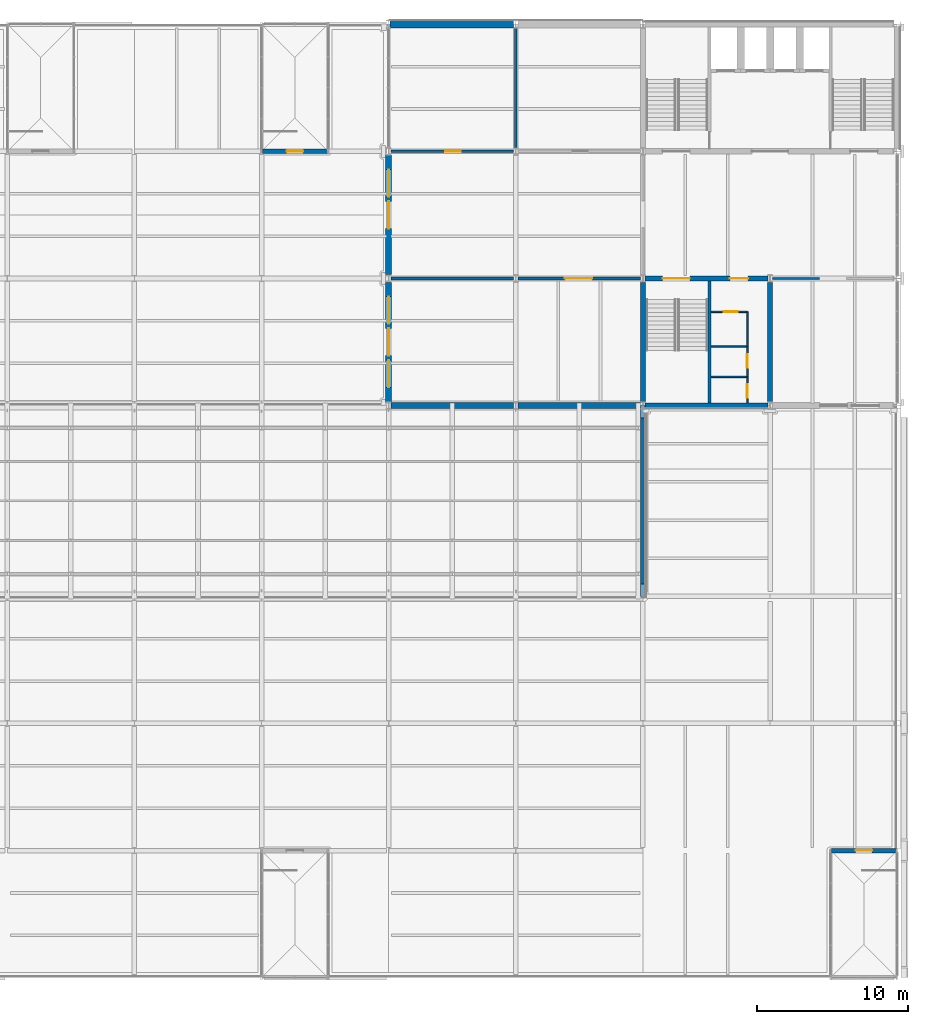
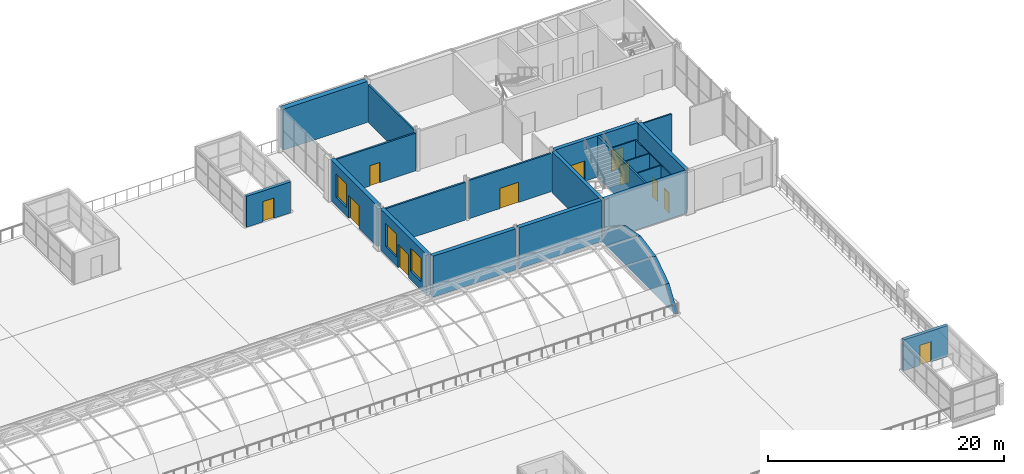
# One storey, part 40 of 58: 24 walls, 11 doors, 3 windows, 14 openings.
"""IFC4 building model written with IfcOpenShell, lengths in metres."""

from ifc_helpers import new_model, si_unit, direction, frame, frame_2d, origin, place, context, subcontext, project, spatial, polyline, rectangle, outline, extrude, material, layer, layer_set, type_object, element, fill, save


model = new_model("IFC4")

# Units and contexts
model_context = context("Model", 3, precision=1e-05, world=origin(), true_north=direction((0.0, 1.0)))
body_context = subcontext(model_context, "Body", "Model", "MODEL_VIEW")
ifc_project = project(units=[si_unit("LENGTHUNIT", "METRE"), si_unit("AREAUNIT", "SQUARE_METRE"), si_unit("VOLUMEUNIT", "CUBIC_METRE"), si_unit("PLANEANGLEUNIT", "RADIAN"), si_unit("MASSUNIT", "GRAM", prefix="KILO")], contexts=[model_context])

# Site, building, storey
site_placement = place(None, origin())
site = spatial("IfcSite", under=ifc_project, at=site_placement, CompositionType="ELEMENT")
building_placement = place(site_placement, origin())
building = spatial("IfcBuilding", under=site, at=building_placement, Name="Galleria Vessillo Department Store", CompositionType="ELEMENT")
storey_placement = place(building_placement, frame((0.0, 0.0, 31.199951171875)))
storey = spatial("IfcBuildingStorey", under=building, at=storey_placement, Name="L06", CompositionType="ELEMENT", Elevation=31.199951171875)

# Wall
ifc_material_1 = material(Name="Acoustic gypsum board partition")
ifc_layer_1 = layer(ifc_material_1, 0.175048828125)
ifc_layer_set_1 = layer_set([ifc_layer_1], Name="Acoustic gypsum board partition")
wall_type_1 = type_object("IfcWallType", Name="Acoustic conference partition 175 mm", PredefinedType="PARTITIONING", material=ifc_layer_set_1)
wall_1_placement = place(storey_placement, frame((84.14990234375, 46.199951171875, 0.0), z_axis=(0.0, 0.0, 1.0), x_axis=(1.0, 0.0, 0.0)))
element("IfcWall", 1, at=wall_1_placement, inside=storey, type_object=wall_type_1, Name="Partition wall PT6 on L06 no. 007", PredefinedType="PARTITIONING", context=body_context, shape_type="SweptSolid", body=[
    extrude(rectangle(XDim=8.10009765625, YDim=0.175048828125, at=frame_2d((4.050048828125, 0.0))), origin(), (0.0, 0.0, 1.0), 3.900146484375),
])

# Wall, opening, door
wall_2_placement = place(storey_placement, frame((92.5498046875, 46.199951171875, 0.0), z_axis=(0.0, 0.0, 1.0), x_axis=(1.0, 0.0, 0.0)))
wall_2 = element("IfcWall", 2, at=wall_2_placement, inside=storey, type_object=wall_type_1, Name="Partition wall PT6 on L06 no. 008", PredefinedType="PARTITIONING", context=body_context, shape_type="SweptSolid", body=[
    extrude(rectangle(XDim=8.100341796875, YDim=0.175048828125, at=frame_2d((4.05029296875, 0.0))), origin(), (0.0, 0.0, 1.0), 3.960205078125),
])
opening_1_placement = place(wall_2_placement, frame((3.10009765625, 0.0, 0.0)))
opening_1 = element("IfcOpeningElement", 3, at=opening_1_placement, cuts=wall_2, Name="Opening D2804", PredefinedType="OPENING", context=body_context, shape_type="SweptSolid", body=[
    extrude(rectangle(XDim=1.800048828125, YDim=2.10009765625, at=frame_2d((0.89990234375, 1.050048828125))), frame((0.0, 0.09765625, 0.0), z_axis=(0.0, -1.0, 0.0), x_axis=(1.0, 0.0, 0.0)), (0.0, 0.0, 1.0), 0.195068359375),
])
ifc_material_2 = material(Name="Timber and glass door leaf", Category="wood")
door_type_1 = type_object("IfcDoorType", Name="Floor door 1800 double leaf", OperationType="DOUBLE_DOOR_SINGLE_SWING", PredefinedType="DOOR", material=ifc_material_2)
door_1_placement = place(opening_1_placement, origin())
door_1 = element("IfcDoor", 4, at=door_1_placement, inside=storey, type_object=door_type_1, Name="Door D2804", OperationType="DOUBLE_DOOR_SINGLE_SWING", OverallHeight=2.10009765625, OverallWidth=1.800048828125, PredefinedType="DOOR", context=body_context, shape_type="SweptSolid", body=[
    extrude(rectangle(XDim=1.800048828125, YDim=2.10009765625, at=frame_2d((0.89990234375, 1.050048828125))), frame((0.0, 0.02490234375, 0.0), z_axis=(0.0, -1.0, 0.0), x_axis=(1.0, 0.0, 0.0)), (0.0, 0.0, 1.0), 0.050048828125),
])
fill(opening_1, door_1)

wall_3_placement = place(storey_placement, frame((84.14990234375, 54.60009765625, 0.0), z_axis=(0.0, 0.0, 1.0), x_axis=(1.0, 0.0, 0.0)))
wall_3 = element("IfcWall", 5, at=wall_3_placement, inside=storey, type_object=wall_type_1, Name="Partition wall PT6 on L06 no. 013", PredefinedType="PARTITIONING", context=body_context, shape_type="SweptSolid", body=[
    extrude(rectangle(XDim=8.10009765625, YDim=0.175048828125, at=frame_2d((4.050048828125, 0.0))), origin(), (0.0, 0.0, 1.0), 3.900146484375),
])
opening_2_placement = place(wall_3_placement, frame((3.60009765625, 0.0, 0.0)))
opening_2 = element("IfcOpeningElement", 6, at=opening_2_placement, cuts=wall_3, Name="Opening D2805", PredefinedType="OPENING", context=body_context, shape_type="SweptSolid", body=[
    extrude(rectangle(XDim=1.0, YDim=2.10009765625, at=frame_2d((0.5, 1.050048828125))), frame((0.0, 0.09765625, 0.0), z_axis=(0.0, -1.0, 0.0), x_axis=(1.0, 0.0, 0.0)), (0.0, 0.0, 1.0), 0.195068359375),
])
ifc_material_3 = material(Name="Timber and glass door leaf", Category="wood")
door_type_2 = type_object("IfcDoorType", Name="Floor door 1000 single leaf", OperationType="SINGLE_SWING_LEFT", PredefinedType="DOOR", material=ifc_material_3)
door_2_placement = place(opening_2_placement, origin())
door_2 = element("IfcDoor", 7, at=door_2_placement, inside=storey, type_object=door_type_2, Name="Door D2805", OperationType="SINGLE_SWING_LEFT", OverallHeight=2.10009765625, OverallWidth=1.0, PredefinedType="DOOR", context=body_context, shape_type="SweptSolid", body=[
    extrude(rectangle(XDim=1.0, YDim=2.10009765625, at=frame_2d((0.5, 1.050048828125))), frame((0.0, 0.02490234375, 0.0), z_axis=(0.0, -1.0, 0.0), x_axis=(1.0, 0.0, 0.0)), (0.0, 0.0, 1.0), 0.050048828125),
])
fill(opening_2, door_2)

# Walls
wall_4_placement = place(storey_placement, frame((92.39990234375, 54.85009765625, 0.0), z_axis=(0.0, 0.0, 1.0), x_axis=(0.0, 1.0, 0.0)))
element("IfcWall", 8, at=wall_4_placement, inside=storey, type_object=wall_type_1, Name="Partition wall PT6 on L06 no. 015", PredefinedType="PARTITIONING", context=body_context, shape_type="SweptSolid", body=[
    extrude(rectangle(XDim=7.89990234375, YDim=0.175048828125, at=frame_2d((3.949951171875, 0.0))), origin(), (0.0, 0.0, 1.0), 3.900146484375),
])
ifc_material_4 = material(Name="Botticino limestone ashlar on masonry backing", Category="masonry")
ifc_layer_2 = layer(ifc_material_4, 0.300048828125)
ifc_layer_set_2 = layer_set([ifc_layer_2], Name="Botticino limestone ashlar on masonry backing")
wall_type_2 = type_object("IfcWallType", Name="Limestone tympanum wall 300 mm", PredefinedType="STANDARD", material=ifc_layer_set_2)
wall_5_placement = place(storey_placement, frame((100.800048828125, 25.199951171875, 0.0), z_axis=(0.0, 0.0, 1.0), x_axis=(0.0, 1.0, 0.0)))
element("IfcWall", 9, at=wall_5_placement, inside=storey, type_object=wall_type_2, Name="Vault tympanum TYMP-E", PredefinedType="STANDARD", context=body_context, shape_type="SweptSolid", body=[
    extrude(outline(polyline([(0.0, 0.0), (12.60009765625, 0.0), (12.60009765625, 0.0), (11.119384765625, 2.207763671875), (8.907470703125, 3.682373046875), (6.300048828125, 4.199951171875), (3.692626953125, 3.682373046875), (1.480712890625, 2.207763671875), (0.0, 0.0), (0.0, 0.0)])), frame((0.0, 0.14990234375, 0.0), z_axis=(0.0, -1.0, 0.0), x_axis=(1.0, 0.0, 0.0)), (0.0, 0.0, 1.0), 0.300048828125),
])

# Wall, opening, door
ifc_material_5 = material(Name="Reinforced masonry, limestone units 80 MPa", Category="masonry")
ifc_layer_3 = layer(ifc_material_5, 0.300048828125)
ifc_layer_set_3 = layer_set([ifc_layer_3], Name="Reinforced masonry, limestone units 80 MPa")
wall_type_3 = type_object("IfcWallType", Name="Load-bearing limestone pavilion wall 300 mm", PredefinedType="STANDARD", material=ifc_layer_set_3)
wall_6_placement = place(storey_placement, frame((75.650146484375, 54.60009765625, 0.0), z_axis=(0.0, 0.0, 1.0), x_axis=(1.0, 0.0, 0.0)))
wall_6 = element("IfcWall", 10, at=wall_6_placement, inside=storey, type_object=wall_type_3, Name="Load-bearing limestone pavilion wall 300 mm PV-ST6-D", PredefinedType="STANDARD", context=body_context, shape_type="SweptSolid", body=[
    extrude(rectangle(XDim=4.2998046875, YDim=0.300048828125, at=frame_2d((2.14990234375, 0.0))), origin(), (0.0, 0.0, 1.0), 3.2001953125),
])
opening_3_placement = place(wall_6_placement, frame((1.599853515625, 0.0, 0.0)))
opening_3 = element("IfcOpeningElement", 11, at=opening_3_placement, cuts=wall_6, Name="Opening PAV-ST6", PredefinedType="OPENING", context=body_context, shape_type="SweptSolid", body=[
    extrude(rectangle(XDim=1.10009765625, YDim=2.10009765625, at=frame_2d((0.550048828125, 1.050048828125))), frame((0.0, 0.16015625, 0.0), z_axis=(0.0, -1.0, 0.0), x_axis=(1.0, 0.0, 0.0)), (0.0, 0.0, 1.0), 0.320068359375),
])
ifc_material_6 = material(Name="Galvanised steel sectional leaf", Category="steel")
door_type_3 = type_object("IfcDoorType", Name="Single leaf pavilion door 1100 x 2100", OperationType="SINGLE_SWING_LEFT", PredefinedType="DOOR", material=ifc_material_6)
door_3_placement = place(opening_3_placement, frame((1.10009765625, 0.0, 0.0), z_axis=(0.0, 0.0, 1.0), x_axis=(-1.0, 0.0, 0.0)))
door_3 = element("IfcDoor", 12, at=door_3_placement, inside=storey, type_object=door_type_3, Name="Single leaf pavilion door 1100 x 2100 PAV-ST6", OperationType="SINGLE_SWING_RIGHT", OverallHeight=2.10009765625, OverallWidth=1.10009765625, PredefinedType="DOOR", context=body_context, shape_type="SweptSolid", body=[
    extrude(rectangle(XDim=1.10009765625, YDim=2.10009765625, at=frame_2d((0.550048828125, 1.050048828125))), frame((0.0, 0.02490234375, 0.0), z_axis=(0.0, -1.0, 0.0), x_axis=(1.0, 0.0, 0.0)), (0.0, 0.0, 1.0), 0.050048828125),
])
fill(opening_3, door_3)

wall_7_placement = place(storey_placement, frame((113.25, 8.39990234375, 0.0), z_axis=(0.0, 0.0, 1.0), x_axis=(1.0, 0.0, 0.0)))
wall_7 = element("IfcWall", 13, at=wall_7_placement, inside=storey, type_object=wall_type_3, Name="Load-bearing limestone pavilion wall 300 mm PV-ST7-D", PredefinedType="STANDARD", context=body_context, shape_type="SweptSolid", body=[
    extrude(rectangle(XDim=4.300048828125, YDim=0.300048828125, at=frame_2d((2.14990234375, 0.0))), origin(), (0.0, 0.0, 1.0), 3.2001953125),
])
opening_4_placement = place(wall_7_placement, frame((1.599853515625, 0.0, 0.0)))
opening_4 = element("IfcOpeningElement", 14, at=opening_4_placement, cuts=wall_7, Name="Opening PAV-ST7", PredefinedType="OPENING", context=body_context, shape_type="SweptSolid", body=[
    extrude(rectangle(XDim=1.10009765625, YDim=2.10009765625, at=frame_2d((0.550048828125, 1.050048828125))), frame((0.0, 0.16015625, 0.0), z_axis=(0.0, -1.0, 0.0), x_axis=(1.0, 0.0, 0.0)), (0.0, 0.0, 1.0), 0.320068359375),
])
door_4_placement = place(opening_4_placement, origin())
door_4 = element("IfcDoor", 15, at=door_4_placement, inside=storey, type_object=door_type_3, Name="Single leaf pavilion door 1100 x 2100 PAV-ST7", OperationType="SINGLE_SWING_RIGHT", OverallHeight=2.10009765625, OverallWidth=1.10009765625, PredefinedType="DOOR", context=body_context, shape_type="SweptSolid", body=[
    extrude(rectangle(XDim=1.10009765625, YDim=2.10009765625, at=frame_2d((0.550048828125, 1.050048828125))), frame((0.0, 0.02490234375, 0.0), z_axis=(0.0, -1.0, 0.0), x_axis=(1.0, 0.0, 0.0)), (0.0, 0.0, 1.0), 0.050048828125),
])
fill(opening_4, door_4)

# Wall, openings, door, windows
ifc_material_7 = material(Name="Reinforced masonry, limestone units 80 MPa", Category="masonry")
ifc_layer_4 = layer(ifc_material_7, 0.39990234375)
ifc_layer_set_4 = layer_set([ifc_layer_4], Name="Reinforced masonry, limestone units 80 MPa")
wall_type_4 = type_object("IfcWallType", Name="Load-bearing limestone-faced wall 400 mm", PredefinedType="STANDARD", material=ifc_layer_set_4)
wall_8_placement = place(storey_placement, frame((84.0, 38.050048828125, 0.0), z_axis=(0.0, 0.0, 1.0), x_axis=(0.0, 1.0, 0.0)))
wall_8 = element("IfcWall", 16, at=wall_8_placement, inside=storey, type_object=wall_type_4, Name="Load-bearing limestone-faced wall 400 mm TW-L06-01", PredefinedType="STANDARD", context=body_context, shape_type="SweptSolid", body=[
    extrude(rectangle(XDim=7.89990234375, YDim=0.39990234375, at=frame_2d((3.949951171875, 0.0))), origin(), (0.0, 0.0, 1.0), 4.250244140625),
])
opening_5_placement = place(wall_8_placement, frame((0.949951171875, 0.0, 0.89990234375)))
opening_5 = element("IfcOpeningElement", 17, at=opening_5_placement, cuts=wall_8, Name="Opening W091", PredefinedType="OPENING", context=body_context, shape_type="SweptSolid", body=[
    extrude(rectangle(XDim=1.800048828125, YDim=2.39990234375, at=frame_2d((0.89990234375, 1.199951171875))), frame((0.0, 0.2099609375, 0.0), z_axis=(0.0, -1.0, 0.0), x_axis=(1.0, 0.0, 0.0)), (0.0, 0.0, 1.0), 0.419921875),
])
opening_6_placement = place(wall_8_placement, frame((5.14990234375, 0.0, 0.89990234375)))
opening_6 = element("IfcOpeningElement", 18, at=opening_6_placement, cuts=wall_8, Name="Opening W092", PredefinedType="OPENING", context=body_context, shape_type="SweptSolid", body=[
    extrude(rectangle(XDim=1.800048828125, YDim=2.39990234375, at=frame_2d((0.89990234375, 1.199951171875))), frame((0.0, 0.2099609375, 0.0), z_axis=(0.0, -1.0, 0.0), x_axis=(1.0, 0.0, 0.0)), (0.0, 0.0, 1.0), 0.419921875),
])
opening_7_placement = place(wall_8_placement, frame((3.050048828125, 0.0, 0.0)))
opening_7 = element("IfcOpeningElement", 19, at=opening_7_placement, cuts=wall_8, Name="Opening DT6-W42", PredefinedType="OPENING", context=body_context, shape_type="SweptSolid", body=[
    extrude(rectangle(XDim=1.800048828125, YDim=2.39990234375, at=frame_2d((0.89990234375, 1.199951171875))), frame((0.0, 0.2099609375, 0.0), z_axis=(0.0, -1.0, 0.0), x_axis=(1.0, 0.0, 0.0)), (0.0, 0.0, 1.0), 0.419921875),
])
ifc_material_8 = material(Name="Aluminium frame with laminated glass 44.2", Category="aluminium")
door_type_4 = type_object("IfcDoorType", Name="Glazed double terrace door 1800 x 2400", OperationType="DOUBLE_DOOR_SINGLE_SWING", PredefinedType="DOOR", material=ifc_material_8)
door_5_placement = place(opening_7_placement, origin())
door_5 = element("IfcDoor", 20, at=door_5_placement, inside=storey, type_object=door_type_4, Name="Glazed double terrace door 1800 x 2400 DT6-W42", OperationType="DOUBLE_DOOR_SINGLE_SWING", OverallHeight=2.39990234375, OverallWidth=1.800048828125, PredefinedType="DOOR", context=body_context, shape_type="SweptSolid", body=[
    extrude(rectangle(XDim=1.800048828125, YDim=2.39990234375, at=frame_2d((0.89990234375, 1.199951171875))), frame((0.0, 0.02490234375, 0.0), z_axis=(0.0, -1.0, 0.0), x_axis=(1.0, 0.0, 0.0)), (0.0, 0.0, 1.0), 0.050048828125),
])
fill(opening_7, door_5)
ifc_material_9 = material(Name="Aluminium frame with laminated glass 44.2", Category="aluminium")
window_type = type_object("IfcWindowType", Name="Tower window, lower storeys 1800 x 2400", PartitioningType="SINGLE_PANEL", PredefinedType="WINDOW", material=ifc_material_9)
window_1_placement = place(opening_5_placement, origin())
window_1 = element("IfcWindow", 21, at=window_1_placement, inside=storey, type_object=window_type, Name="E-WIN-TW-L06-01-091", OverallHeight=2.39990234375, OverallWidth=1.800048828125, PartitioningType="SINGLE_PANEL", PredefinedType="WINDOW", context=body_context, shape_type="SweptSolid", body=[
    extrude(rectangle(XDim=1.800048828125, YDim=2.39990234375, at=frame_2d((0.89990234375, 1.199951171875))), frame((0.0, 0.030029296875, 0.0), z_axis=(0.0, -1.0, 0.0), x_axis=(1.0, 0.0, 0.0)), (0.0, 0.0, 1.0), 0.06005859375),
])
fill(opening_5, window_1)
window_2_placement = place(opening_6_placement, origin())
window_2 = element("IfcWindow", 22, at=window_2_placement, inside=storey, type_object=window_type, Name="E-WIN-TW-L06-01-092", OverallHeight=2.39990234375, OverallWidth=1.800048828125, PartitioningType="SINGLE_PANEL", PredefinedType="WINDOW", context=body_context, shape_type="SweptSolid", body=[
    extrude(rectangle(XDim=1.800048828125, YDim=2.39990234375, at=frame_2d((0.89990234375, 1.199951171875))), frame((0.0, 0.030029296875, 0.0), z_axis=(0.0, -1.0, 0.0), x_axis=(1.0, 0.0, 0.0)), (0.0, 0.0, 1.0), 0.06005859375),
])
fill(opening_6, window_2)

# Wall, openings, door, window
wall_9_placement = place(storey_placement, frame((84.0, 46.449951171875, 0.0), z_axis=(0.0, 0.0, 1.0), x_axis=(0.0, 1.0, 0.0)))
wall_9 = element("IfcWall", 23, at=wall_9_placement, inside=storey, type_object=wall_type_4, Name="Load-bearing limestone-faced wall 400 mm TW-L06-02", PredefinedType="STANDARD", context=body_context, shape_type="SweptSolid", body=[
    extrude(rectangle(XDim=7.900146484375, YDim=0.39990234375, at=frame_2d((3.9501953125, 0.0))), origin(), (0.0, 0.0, 1.0), 4.250244140625),
])
opening_8_placement = place(wall_9_placement, frame((5.150146484375, 0.0, 0.89990234375)))
opening_8 = element("IfcOpeningElement", 24, at=opening_8_placement, cuts=wall_9, Name="Opening W093", PredefinedType="OPENING", context=body_context, shape_type="SweptSolid", body=[
    extrude(rectangle(XDim=1.800048828125, YDim=2.39990234375, at=frame_2d((0.89990234375, 1.199951171875))), frame((0.0, 0.2099609375, 0.0), z_axis=(0.0, -1.0, 0.0), x_axis=(1.0, 0.0, 0.0)), (0.0, 0.0, 1.0), 0.419921875),
])
opening_9_placement = place(wall_9_placement, frame((3.050048828125, 0.0, 0.0)))
opening_9 = element("IfcOpeningElement", 25, at=opening_9_placement, cuts=wall_9, Name="Opening DT6-W50", PredefinedType="OPENING", context=body_context, shape_type="SweptSolid", body=[
    extrude(rectangle(XDim=1.800048828125, YDim=2.39990234375, at=frame_2d((0.89990234375, 1.199951171875))), frame((0.0, 0.2099609375, 0.0), z_axis=(0.0, -1.0, 0.0), x_axis=(1.0, 0.0, 0.0)), (0.0, 0.0, 1.0), 0.419921875),
])
door_6_placement = place(opening_9_placement, origin())
door_6 = element("IfcDoor", 26, at=door_6_placement, inside=storey, type_object=door_type_4, Name="Glazed double terrace door 1800 x 2400 DT6-W50", OperationType="DOUBLE_DOOR_SINGLE_SWING", OverallHeight=2.39990234375, OverallWidth=1.800048828125, PredefinedType="DOOR", context=body_context, shape_type="SweptSolid", body=[
    extrude(rectangle(XDim=1.800048828125, YDim=2.39990234375, at=frame_2d((0.89990234375, 1.199951171875))), frame((0.0, 0.02490234375, 0.0), z_axis=(0.0, -1.0, 0.0), x_axis=(1.0, 0.0, 0.0)), (0.0, 0.0, 1.0), 0.050048828125),
])
fill(opening_9, door_6)
window_3_placement = place(opening_8_placement, origin())
window_3 = element("IfcWindow", 27, at=window_3_placement, inside=storey, type_object=window_type, Name="E-WIN-TW-L06-02-093", OverallHeight=2.39990234375, OverallWidth=1.800048828125, PartitioningType="SINGLE_PANEL", PredefinedType="WINDOW", context=body_context, shape_type="SweptSolid", body=[
    extrude(rectangle(XDim=1.800048828125, YDim=2.39990234375, at=frame_2d((0.89990234375, 1.199951171875))), frame((0.0, 0.030029296875, 0.0), z_axis=(0.0, -1.0, 0.0), x_axis=(1.0, 0.0, 0.0)), (0.0, 0.0, 1.0), 0.06005859375),
])
fill(opening_8, window_3)

# Walls
ifc_material_10 = material(Name="Reinforced masonry, limestone units 80 MPa", Category="masonry")
ifc_layer_5 = layer(ifc_material_10, 0.39990234375)
ifc_layer_set_5 = layer_set([ifc_layer_5], Name="Reinforced masonry, limestone units 80 MPa")
wall_type_5 = type_object("IfcWallType", Name="Load-bearing limestone-faced wall 400 mm, internal", PredefinedType="STANDARD", material=ifc_layer_set_5)
wall_10_placement = place(storey_placement, frame((84.14990234375, 37.800048828125, 0.0), z_axis=(0.0, 0.0, 1.0), x_axis=(1.0, 0.0, 0.0)))
element("IfcWall", 28, at=wall_10_placement, inside=storey, type_object=wall_type_5, Name="Load-bearing limestone-faced wall 400 mm TS-V-L06-01", PredefinedType="STANDARD", context=body_context, shape_type="SweptSolid", body=[
    extrude(rectangle(XDim=8.10009765625, YDim=0.39990234375, at=frame_2d((4.050048828125, 0.0))), origin(), (0.0, 0.0, 1.0), 4.250244140625),
])
wall_11_placement = place(storey_placement, frame((92.5498046875, 37.800048828125, 0.0), z_axis=(0.0, 0.0, 1.0), x_axis=(1.0, 0.0, 0.0)))
element("IfcWall", 29, at=wall_11_placement, inside=storey, type_object=wall_type_5, Name="Load-bearing limestone-faced wall 400 mm TS-V-L06-02", PredefinedType="STANDARD", context=body_context, shape_type="SweptSolid", body=[
    extrude(rectangle(XDim=8.100341796875, YDim=0.39990234375, at=frame_2d((4.05029296875, 0.0))), origin(), (0.0, 0.0, 1.0), 4.250244140625),
])

# Wall, openings, doors
ifc_material_11 = material(Name="Concrete C32/40 reinforced", Category="concrete")
ifc_layer_6 = layer(ifc_material_11, 0.35009765625)
ifc_layer_set_6 = layer_set([ifc_layer_6], Name="Concrete C32/40 reinforced")
wall_type_6 = type_object("IfcWallType", Name="Reinforced concrete core wall 350 mm", PredefinedType="SHEAR", material=ifc_layer_set_6)
wall_12_placement = place(storey_placement, frame((100.949951171875, 46.199951171875, 0.0), z_axis=(0.0, 0.0, 1.0), x_axis=(1.0, 0.0, 0.0)))
wall_12 = element("IfcWall", 30, at=wall_12_placement, inside=storey, type_object=wall_type_6, Name="S-CW-TS-INTERIOR-L06", PredefinedType="SHEAR", context=body_context, shape_type="SweptSolid", body=[
    extrude(rectangle(XDim=8.10009765625, YDim=0.35009765625, at=frame_2d((4.050048828125, 0.0))), origin(), (0.0, 0.0, 1.0), 4.250244140625),
])
opening_10_placement = place(wall_12_placement, frame((1.14990234375, 0.0, 0.0)))
opening_10 = element("IfcOpeningElement", 31, at=opening_10_placement, cuts=wall_12, Name="Opening D5321", PredefinedType="OPENING", context=body_context, shape_type="SweptSolid", body=[
    extrude(rectangle(XDim=1.800048828125, YDim=2.10009765625, at=frame_2d((0.89990234375, 1.050048828125))), frame((0.0, 0.18505859375, 0.0), z_axis=(0.0, -1.0, 0.0), x_axis=(1.0, 0.0, 0.0)), (0.0, 0.0, 1.0), 0.3701171875),
])
opening_11_placement = place(wall_12_placement, frame((5.599853515625, 0.0, 0.0)))
opening_11 = element("IfcOpeningElement", 32, at=opening_11_placement, cuts=wall_12, Name="Opening D5322", PredefinedType="OPENING", context=body_context, shape_type="SweptSolid", body=[
    extrude(rectangle(XDim=1.199951171875, YDim=2.10009765625, at=frame_2d((0.60009765625, 1.050048828125))), frame((0.0, 0.18505859375, 0.0), z_axis=(0.0, -1.0, 0.0), x_axis=(1.0, 0.0, 0.0)), (0.0, 0.0, 1.0), 0.3701171875),
])
ifc_material_12 = material(Name="Fire-rated steel door leaf", Category="steel")
door_type_5 = type_object("IfcDoorType", Name="Door D120F fire door 1200 x 2100", OperationType="SINGLE_SWING_LEFT", PredefinedType="DOOR", material=ifc_material_12)
door_7_placement = place(opening_11_placement, frame((1.199951171875, 0.0, 0.0), z_axis=(0.0, 0.0, 1.0), x_axis=(-1.0, 0.0, 0.0)))
door_7 = element("IfcDoor", 33, at=door_7_placement, inside=storey, type_object=door_type_5, Name="Lobby door TS-WC-FLOOR L06", OperationType="SINGLE_SWING_LEFT", OverallHeight=2.10009765625, OverallWidth=1.199951171875, PredefinedType="DOOR", context=body_context, shape_type="SweptSolid", body=[
    extrude(rectangle(XDim=1.199951171875, YDim=2.10009765625, at=frame_2d((0.60009765625, 1.050048828125))), frame((0.0, 0.02490234375, 0.0), z_axis=(0.0, -1.0, 0.0), x_axis=(1.0, 0.0, 0.0)), (0.0, 0.0, 1.0), 0.050048828125),
])
fill(opening_11, door_7)
ifc_material_13 = material(Name="Fire-rated steel door leaf", Category="steel")
door_type_6 = type_object("IfcDoorType", Name="Door D180F double leaf 1800 x 2100", OperationType="DOUBLE_DOOR_SINGLE_SWING", PredefinedType="DOOR", material=ifc_material_13)
door_8_placement = place(opening_10_placement, frame((1.800048828125, 0.0, 0.0), z_axis=(0.0, 0.0, 1.0), x_axis=(-1.0, 0.0, 0.0)))
door_8 = element("IfcDoor", 34, at=door_8_placement, inside=storey, type_object=door_type_6, Name="Lobby door TS-ST12-FLOOR L06", OperationType="DOUBLE_DOOR_SINGLE_SWING", OverallHeight=2.10009765625, OverallWidth=1.800048828125, PredefinedType="DOOR", context=body_context, shape_type="SweptSolid", body=[
    extrude(rectangle(XDim=1.800048828125, YDim=2.10009765625, at=frame_2d((0.89990234375, 1.050048828125))), frame((0.0, 0.02490234375, 0.0), z_axis=(0.0, -1.0, 0.0), x_axis=(1.0, 0.0, 0.0)), (0.0, 0.0, 1.0), 0.050048828125),
])
fill(opening_10, door_8)

# Walls
for number, where, z_axis, x_axis, name in (
    (35, (100.800048828125, 38.050048828125, 0.0), (0.0, 0.0, 1.0), (0.0, 1.0, 0.0), "S-CW-TS-WEST-L06"),
    (36, (109.199951171875, 38.050048828125, 0.0), (0.0, 0.0, 1.0), (0.0, 1.0, 0.0), "S-CW-TS-EAST-L06"),
):
    element("IfcWall", number, at=place(storey_placement, frame(where, z_axis=z_axis, x_axis=x_axis)), inside=storey, type_object=wall_type_6, Name=name, PredefinedType="SHEAR", context=body_context, shape_type="SweptSolid", body=[
        extrude(rectangle(XDim=7.89990234375, YDim=0.35009765625, at=frame_2d((3.949951171875, 0.0))), origin(), (0.0, 0.0, 1.0), 4.250244140625),
    ])
ifc_material_14 = material(Name="Concrete C32/40 reinforced", Category="concrete")
ifc_layer_7 = layer(ifc_material_14, 0.35009765625)
ifc_layer_set_7 = layer_set([ifc_layer_7], Name="Concrete C32/40 reinforced")
wall_type_7 = type_object("IfcWallType", Name="Reinforced concrete core wall 350 mm, external", PredefinedType="SHEAR", material=ifc_layer_set_7)
wall_13_placement = place(storey_placement, frame((100.949951171875, 37.800048828125, 0.0), z_axis=(0.0, 0.0, 1.0), x_axis=(1.0, 0.0, 0.0)))
element("IfcWall", 37, at=wall_13_placement, inside=storey, type_object=wall_type_7, Name="S-CW-TS-PARTY-L06", PredefinedType="SHEAR", context=body_context, shape_type="SweptSolid", body=[
    extrude(rectangle(XDim=8.10009765625, YDim=0.35009765625, at=frame_2d((4.050048828125, 0.0))), origin(), (0.0, 0.0, 1.0), 4.250244140625),
])
ifc_material_15 = material(Name="Concrete C32/40 reinforced", Category="concrete")
ifc_layer_8 = layer(ifc_material_15, 0.5)
ifc_layer_set_8 = layer_set([ifc_layer_8], Name="Concrete C32/40 reinforced")
wall_type_8 = type_object("IfcWallType", Name="Reinforced concrete party wall 500 mm", PredefinedType="SHEAR", material=ifc_layer_set_8)
wall_14_placement = place(storey_placement, frame((84.074951171875, 63.0, 0.0), z_axis=(0.0, 0.0, 1.0), x_axis=(1.0, 0.0, 0.0)))
element("IfcWall", 38, at=wall_14_placement, inside=storey, type_object=wall_type_8, Name="S-TN-L06-01", PredefinedType="SHEAR", context=body_context, shape_type="SweptSolid", body=[
    extrude(rectangle(XDim=8.175048828125, YDim=0.5, at=frame_2d((4.08740234375, 0.0))), origin(), (0.0, 0.0, 1.0), 4.250244140625),
])
ifc_material_16 = material(Name="Concrete C32/40 reinforced", Category="concrete")
ifc_layer_9 = layer(ifc_material_16, 0.199951171875)
ifc_layer_set_9 = layer_set([ifc_layer_9], Name="Concrete C32/40 reinforced")
wall_type_9 = type_object("IfcWallType", Name="Reinforced concrete stair enclosure wall 200 mm", PredefinedType="SHEAR", material=ifc_layer_set_9)
wall_15_placement = place(storey_placement, frame((105.199951171875, 37.97509765625, 0.0), z_axis=(0.0, 0.0, 1.0), x_axis=(0.0, 1.0, 0.0)))
element("IfcWall", 39, at=wall_15_placement, inside=storey, type_object=wall_type_9, Name="Stair enclosure wall TS L06", PredefinedType="SHEAR", context=body_context, shape_type="SweptSolid", body=[
    extrude(rectangle(XDim=8.050048828125, YDim=0.199951171875, at=frame_2d((4.02490234375, 0.0))), origin(), (0.0, 0.0, 1.0), 4.25),
])
ifc_material_17 = material(Name="Gypsum board partition")
ifc_layer_10 = layer(ifc_material_17, 0.139892578125)
ifc_layer_set_10 = layer_set([ifc_layer_10], Name="Gypsum board partition")
wall_type_10 = type_object("IfcWallType", Name="Sales dividing wall 140 mm", PredefinedType="PARTITIONING", material=ifc_layer_set_10)
wall_16_placement = place(storey_placement, frame((109.349853515625, 46.199951171875, 0.0), z_axis=(0.0, 0.0, 1.0), x_axis=(1.0, 0.0, 0.0)))
element("IfcWall", 40, at=wall_16_placement, inside=storey, type_object=wall_type_10, Name="Partition wall PT3 on L06 no. 009", PredefinedType="PARTITIONING", context=body_context, shape_type="SweptSolid", body=[
    extrude(rectangle(XDim=3.10009765625, YDim=0.139892578125, at=frame_2d((1.550048828125, 0.0))), origin(), (0.0, 0.0, 1.0), 3.900146484375),
])

# Wall, opening, door
ifc_material_18 = material(Name="Moisture-resistant board partition")
ifc_layer_11 = layer(ifc_material_18, 0.10009765625)
ifc_layer_set_11 = layer_set([ifc_layer_11], Name="Moisture-resistant board partition")
wall_type_11 = type_object("IfcWallType", Name="WC and cubicle partition 100 mm", PredefinedType="PARTITIONING", material=ifc_layer_set_11)
wall_17_placement = place(storey_placement, frame((105.300048828125, 44.0, 0.0), z_axis=(0.0, 0.0, 1.0), x_axis=(1.0, 0.0, 0.0)))
wall_17 = element("IfcWall", 41, at=wall_17_placement, inside=storey, type_object=wall_type_11, Name="Partition wall PT1 on L06 no. 001", PredefinedType="PARTITIONING", context=body_context, shape_type="SweptSolid", body=[
    extrude(rectangle(XDim=2.39990234375, YDim=0.10009765625, at=frame_2d((1.199951171875, 0.0))), origin(), (0.0, 0.0, 1.0), 4.18017578125),
])
opening_12_placement = place(wall_17_placement, frame((0.85009765625, 0.0, 0.0)))
opening_12 = element("IfcOpeningElement", 42, at=opening_12_placement, cuts=wall_17, Name="Opening D2801", PredefinedType="OPENING", context=body_context, shape_type="SweptSolid", body=[
    extrude(rectangle(XDim=0.89990234375, YDim=2.10009765625, at=frame_2d((0.449951171875, 1.050048828125))), frame((0.0, 0.06005859375, 0.0), z_axis=(0.0, -1.0, 0.0), x_axis=(1.0, 0.0, 0.0)), (0.0, 0.0, 1.0), 0.1201171875),
])
ifc_material_19 = material(Name="Timber and glass door leaf", Category="wood")
door_type_7 = type_object("IfcDoorType", Name="Floor door 900 single leaf", OperationType="SINGLE_SWING_LEFT", PredefinedType="DOOR", material=ifc_material_19)
door_9_placement = place(opening_12_placement, origin())
door_9 = element("IfcDoor", 43, at=door_9_placement, inside=storey, type_object=door_type_7, Name="Door D2801", OperationType="SINGLE_SWING_LEFT", OverallHeight=2.10009765625, OverallWidth=0.89990234375, PredefinedType="DOOR", context=body_context, shape_type="SweptSolid", body=[
    extrude(rectangle(XDim=0.89990234375, YDim=2.10009765625, at=frame_2d((0.449951171875, 1.050048828125))), frame((0.0, 0.02490234375, 0.0), z_axis=(0.0, -1.0, 0.0), x_axis=(1.0, 0.0, 0.0)), (0.0, 0.0, 1.0), 0.050048828125),
])
fill(opening_12, door_9)

# Wall
wall_18_placement = place(storey_placement, frame((107.699951171875, 41.699951171875, 0.0), z_axis=(0.0, 0.0, 1.0), x_axis=(0.0, 1.0, 0.0)))
element("IfcWall", 44, at=wall_18_placement, inside=storey, type_object=wall_type_11, Name="Partition wall PT1 on L06 no. 002", PredefinedType="PARTITIONING", context=body_context, shape_type="SweptSolid", body=[
    extrude(rectangle(XDim=2.300048828125, YDim=0.10009765625, at=frame_2d((1.14990234375, 0.0))), origin(), (0.0, 0.0, 1.0), 4.18017578125),
])

# Wall, opening, door
wall_19_placement = place(storey_placement, frame((107.699951171875, 39.699951171875, 0.0), z_axis=(0.0, 0.0, 1.0), x_axis=(0.0, 1.0, 0.0)))
wall_19 = element("IfcWall", 45, at=wall_19_placement, inside=storey, type_object=wall_type_11, Name="Partition wall PT1 on L06 no. 003", PredefinedType="PARTITIONING", context=body_context, shape_type="SweptSolid", body=[
    extrude(rectangle(XDim=2.0, YDim=0.10009765625, at=frame_2d((1.0, 0.0))), origin(), (0.0, 0.0, 1.0), 4.18017578125),
])
opening_13_placement = place(wall_19_placement, frame((0.60009765625, 0.0, 0.0)))
opening_13 = element("IfcOpeningElement", 46, at=opening_13_placement, cuts=wall_19, Name="Opening D2802", PredefinedType="OPENING", context=body_context, shape_type="SweptSolid", body=[
    extrude(rectangle(XDim=0.89990234375, YDim=2.10009765625, at=frame_2d((0.449951171875, 1.050048828125))), frame((0.0, 0.06005859375, 0.0), z_axis=(0.0, -1.0, 0.0), x_axis=(1.0, 0.0, 0.0)), (0.0, 0.0, 1.0), 0.1201171875),
])
door_10_placement = place(opening_13_placement, frame((0.89990234375, 0.0, 0.0), z_axis=(0.0, 0.0, 1.0), x_axis=(-1.0, 0.0, 0.0)))
door_10 = element("IfcDoor", 47, at=door_10_placement, inside=storey, type_object=door_type_7, Name="Door D2802", OperationType="SINGLE_SWING_RIGHT", OverallHeight=2.10009765625, OverallWidth=0.89990234375, PredefinedType="DOOR", context=body_context, shape_type="SweptSolid", body=[
    extrude(rectangle(XDim=0.89990234375, YDim=2.10009765625, at=frame_2d((0.449951171875, 1.050048828125))), frame((0.0, 0.02490234375, 0.0), z_axis=(0.0, -1.0, 0.0), x_axis=(1.0, 0.0, 0.0)), (0.0, 0.0, 1.0), 0.050048828125),
])
fill(opening_13, door_10)

wall_20_placement = place(storey_placement, frame((107.699951171875, 37.97509765625, 0.0), z_axis=(0.0, 0.0, 1.0), x_axis=(0.0, 1.0, 0.0)))
wall_20 = element("IfcWall", 48, at=wall_20_placement, inside=storey, type_object=wall_type_11, Name="Partition wall PT1 on L06 no. 004", PredefinedType="PARTITIONING", context=body_context, shape_type="SweptSolid", body=[
    extrude(rectangle(XDim=1.724853515625, YDim=0.10009765625, at=frame_2d((0.8623046875, 0.0))), origin(), (0.0, 0.0, 1.0), 4.18017578125),
])
opening_14_placement = place(wall_20_placement, frame((0.35009765625, 0.0, 0.0)))
opening_14 = element("IfcOpeningElement", 49, at=opening_14_placement, cuts=wall_20, Name="Opening D2803", PredefinedType="OPENING", context=body_context, shape_type="SweptSolid", body=[
    extrude(rectangle(XDim=0.89990234375, YDim=2.10009765625, at=frame_2d((0.449951171875, 1.050048828125))), frame((0.0, 0.06005859375, 0.0), z_axis=(0.0, -1.0, 0.0), x_axis=(1.0, 0.0, 0.0)), (0.0, 0.0, 1.0), 0.1201171875),
])
ifc_material_20 = material(Name="Timber and glass door leaf", Category="wood")
door_type_8 = type_object("IfcDoorType", Name="Accessible WC door 900 sliding", OperationType="SLIDING_TO_LEFT", PredefinedType="DOOR", material=ifc_material_20)
door_11_placement = place(opening_14_placement, origin())
door_11 = element("IfcDoor", 50, at=door_11_placement, inside=storey, type_object=door_type_8, Name="Door D2803", OperationType="SLIDING_TO_RIGHT", OverallHeight=2.10009765625, OverallWidth=0.89990234375, PredefinedType="DOOR", context=body_context, shape_type="SweptSolid", body=[
    extrude(rectangle(XDim=0.89990234375, YDim=2.10009765625, at=frame_2d((0.449951171875, 1.050048828125))), frame((0.0, 0.02490234375, 0.0), z_axis=(0.0, -1.0, 0.0), x_axis=(1.0, 0.0, 0.0)), (0.0, 0.0, 1.0), 0.050048828125),
])
fill(opening_14, door_11)

# Walls
for number, where, z_axis, x_axis, name in (
    (51, (105.300048828125, 41.699951171875, 0.0), (0.0, 0.0, 1.0), (1.0, 0.0, 0.0), "Partition wall PT1 on L06 no. 005"),
    (52, (105.300048828125, 39.699951171875, 0.0), (0.0, 0.0, 1.0), (1.0, 0.0, 0.0), "Partition wall PT1 on L06 no. 006"),
):
    element("IfcWall", number, at=place(storey_placement, frame(where, z_axis=z_axis, x_axis=x_axis)), inside=storey, type_object=wall_type_11, Name=name, PredefinedType="PARTITIONING", context=body_context, shape_type="SweptSolid", body=[
        extrude(rectangle(XDim=2.39990234375, YDim=0.10009765625, at=frame_2d((1.199951171875, 0.0))), origin(), (0.0, 0.0, 1.0), 4.18017578125),
    ])

save(model, "model.ifc")
